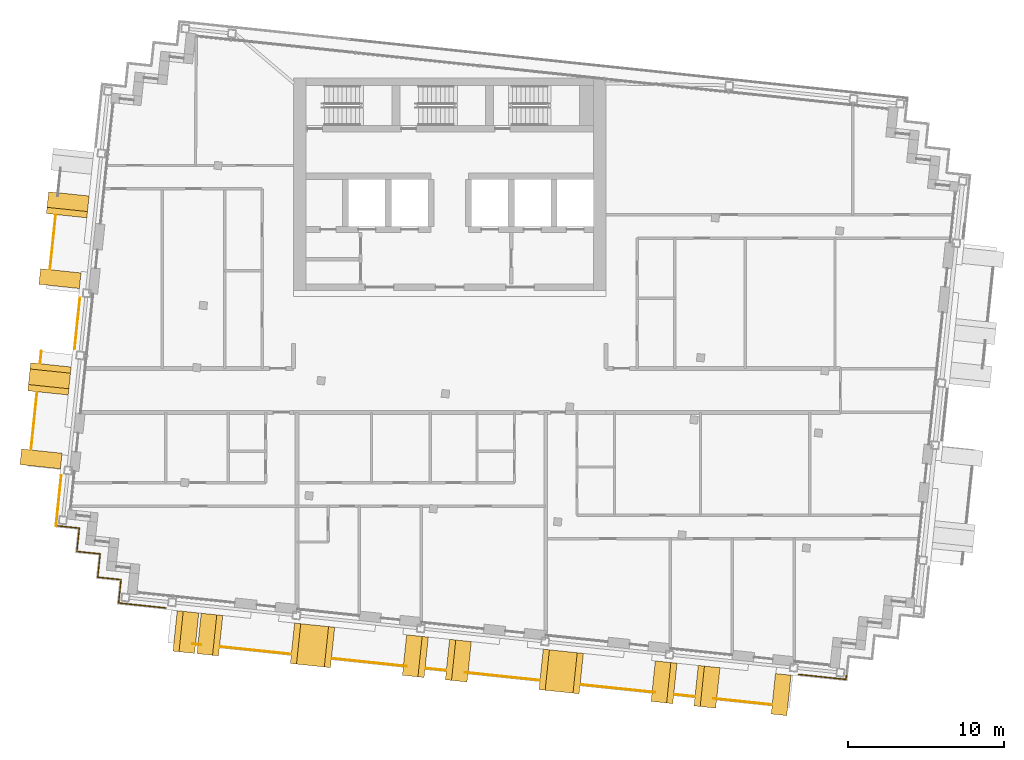
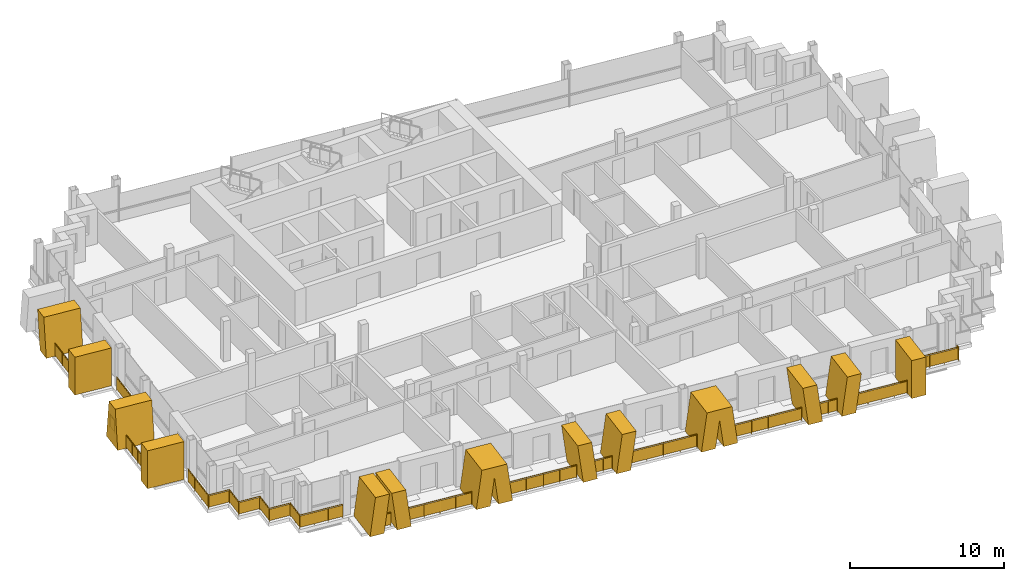
# One storey, part 13 of 16: 15 railings, 13 shading devices.
"""IFC4 building model written with IfcOpenShell, lengths in metres."""

from ifc_helpers import new_model, si_unit, direction, frame, origin, origin_2d, place, context, subcontext, project, spatial, polyline, rectangle, circle, outline, extrude, material, layer, layer_set, type_object, element, save


model = new_model("IFC4")

# Units and contexts
model_context = context("Model", 3, precision=1e-05, world=origin(), true_north=direction((0.0, 1.0)))
body_context = subcontext(model_context, "Body", "Model", "MODEL_VIEW")
ifc_project = project(units=[si_unit("LENGTHUNIT", "METRE"), si_unit("AREAUNIT", "SQUARE_METRE"), si_unit("VOLUMEUNIT", "CUBIC_METRE"), si_unit("PLANEANGLEUNIT", "RADIAN"), si_unit("MASSUNIT", "GRAM", prefix="KILO")], contexts=[model_context])

# Site, building, storey
site_placement = place(None, origin())
site = spatial("IfcSite", under=ifc_project, at=site_placement, CompositionType="ELEMENT")
building_placement = place(site_placement, origin())
building = spatial("IfcBuilding", under=site, at=building_placement, Name="Vidyagriha Tower", CompositionType="ELEMENT")
storey_placement = place(building_placement, frame((0.0, 0.0, 278.699951171875)))
storey = spatial("IfcBuildingStorey", under=building, at=storey_placement, Name="L73", CompositionType="ELEMENT", Elevation=278.699951171875)

# Railings
ifc_material_1 = material(Name="Steel ASTM A500 Grade C black painted", Category="steel")
railing_type_1 = type_object("IfcRailingType", Name="Balcony guard 1100", PredefinedType="BALUSTRADE", material=ifc_material_1)
railing_1_placement = place(storey_placement, frame((-25.220703125, 11.20849609375, 0.0)))
element("IfcRailing", 1, at=railing_1_placement, inside=storey, type_object=railing_type_1, Name="Balcony guard L73 R14.1-2", PredefinedType="BALUSTRADE", context=body_context, shape_type="SweptSolid", body=[
    extrude(circle(Radius=0.02490234375, at=origin_2d()), frame((0.0, 0.0, 1.0751953125), z_axis=(-0.104519019879, -0.994522887863, 0.0), x_axis=(0.994522887863, -0.104519019879, 0.0)), (0.0, 0.0, 1.0), 3.449951171875),
    extrude(circle(Radius=0.02001953125, at=origin_2d()), origin(), (0.0, 0.0, 1.0), 1.050048828125),
    extrude(circle(Radius=0.02001953125, at=origin_2d()), frame((-0.1201171875, -1.143798828125, 0.0)), (0.0, 0.0, 1.0), 1.050048828125),
    extrude(circle(Radius=0.02001953125, at=origin_2d()), frame((-0.240478515625, -2.287353515625, 0.0)), (0.0, 0.0, 1.0), 1.050048828125),
    extrude(circle(Radius=0.02001953125, at=origin_2d()), frame((-0.360595703125, -3.43115234375, 0.0)), (0.0, 0.0, 1.0), 1.050048828125),
    extrude(rectangle(XDim=0.010009765625, YDim=0.900146484375, at=origin_2d()), frame((0.0, 0.0, 0.550048828125), z_axis=(-0.104519019879, -0.994522887863, 0.0), x_axis=(0.994522887863, -0.104519019879, 0.0)), (0.0, 0.0, 1.0), 3.449951171875),
])
railing_2_placement = place(storey_placement, frame((-26.13525390625, 2.50634765625, 0.0)))
element("IfcRailing", 2, at=railing_2_placement, inside=storey, type_object=railing_type_1, Name="Balcony guard L73 R14.2-1", PredefinedType="BALUSTRADE", context=body_context, shape_type="SweptSolid", body=[
    extrude(circle(Radius=0.02490234375, at=origin_2d()), frame((0.0, 0.0, 1.0751953125), z_axis=(-0.104498377516, -0.994525057048, 0.0), x_axis=(0.994525057048, -0.104498377516, 0.0)), (0.0, 0.0, 1.0), 0.75),
    extrude(circle(Radius=0.02001953125, at=origin_2d()), origin(), (0.0, 0.0, 1.0), 1.050048828125),
    extrude(circle(Radius=0.02001953125, at=origin_2d()), frame((-0.078369140625, -0.745849609375, 0.0)), (0.0, 0.0, 1.0), 1.050048828125),
    extrude(rectangle(XDim=0.010009765625, YDim=0.900146484375, at=origin_2d()), frame((0.0, 0.0, 0.550048828125), z_axis=(-0.104498377516, -0.994525057048, 0.0), x_axis=(0.994525057048, -0.104498377516, 0.0)), (0.0, 0.0, 1.0), 0.75),
])
railing_3_placement = place(storey_placement, frame((-26.412353515625, -0.129150390625, 0.0)))
element("IfcRailing", 3, at=railing_3_placement, inside=storey, type_object=railing_type_1, Name="Balcony guard L73 R14.2-2", PredefinedType="BALUSTRADE", context=body_context, shape_type="SweptSolid", body=[
    extrude(circle(Radius=0.02490234375, at=origin_2d()), frame((0.0, 0.0, 1.0751953125), z_axis=(-0.104548987786, -0.99451973794, 0.0), x_axis=(0.99451973794, -0.104548987786, 0.0)), (0.0, 0.0, 1.0), 3.64990234375),
    extrude(circle(Radius=0.02001953125, at=origin_2d()), origin(), (0.0, 0.0, 1.0), 1.050048828125),
    extrude(circle(Radius=0.02001953125, at=origin_2d()), frame((-0.095458984375, -0.907470703125, 0.0)), (0.0, 0.0, 1.0), 1.050048828125),
    extrude(circle(Radius=0.02001953125, at=origin_2d()), frame((-0.19091796875, -1.81494140625, 0.0)), (0.0, 0.0, 1.0), 1.050048828125),
    extrude(circle(Radius=0.02001953125, at=origin_2d()), frame((-0.2861328125, -2.722412109375, 0.0)), (0.0, 0.0, 1.0), 1.050048828125),
    extrude(circle(Radius=0.02001953125, at=origin_2d()), frame((-0.381591796875, -3.6298828125, 0.0)), (0.0, 0.0, 1.0), 1.050048828125),
    extrude(rectangle(XDim=0.010009765625, YDim=0.900146484375, at=origin_2d()), frame((0.0, 0.0, 0.550048828125), z_axis=(-0.104548987786, -0.99451973794, 0.0), x_axis=(0.99451973794, -0.104548987786, 0.0)), (0.0, 0.0, 1.0), 3.64990234375),
])
railing_4_placement = place(storey_placement, frame((-16.454833984375, -16.2080078125, 0.0)))
element("IfcRailing", 4, at=railing_4_placement, inside=storey, type_object=railing_type_1, Name="Balcony guard L73 R21.1-1", PredefinedType="BALUSTRADE", context=body_context, shape_type="SweptSolid", body=[
    extrude(circle(Radius=0.02490234375, at=origin_2d()), frame((0.0, 0.0, 1.0751953125), z_axis=(0.994530525587, -0.104446319592, 0.0), x_axis=(0.104446319592, 0.994530525587, 0.0)), (0.0, 0.0, 1.0), 0.532958984375),
    extrude(circle(Radius=0.02001953125, at=origin_2d()), origin(), (0.0, 0.0, 1.0), 1.050048828125),
    extrude(circle(Radius=0.02001953125, at=origin_2d()), frame((0.530029296875, -0.0556640625, 0.0)), (0.0, 0.0, 1.0), 1.050048828125),
    extrude(rectangle(XDim=0.010009765625, YDim=0.900146484375, at=origin_2d()), frame((0.0, 0.0, 0.550048828125), z_axis=(0.994530525587, -0.104446319592, 0.0), x_axis=(0.104446319592, 0.994530525587, 0.0)), (0.0, 0.0, 1.0), 0.532958984375),
])
railing_5_placement = place(storey_placement, frame((-14.683837890625, -16.394287109375, 0.0)))
element("IfcRailing", 5, at=railing_5_placement, inside=storey, type_object=railing_type_1, Name="Balcony guard L73 R21.1-2", PredefinedType="BALUSTRADE", context=body_context, shape_type="SweptSolid", body=[
    extrude(circle(Radius=0.02490234375, at=origin_2d()), frame((0.0, 0.0, 1.0751953125), z_axis=(0.994524671228, -0.104502049352, 0.0), x_axis=(0.104502049352, 0.994524671228, 0.0)), (0.0, 0.0, 1.0), 4.5205078125),
    extrude(circle(Radius=0.02001953125, at=origin_2d()), origin(), (0.0, 0.0, 1.0), 1.050048828125),
    extrude(circle(Radius=0.02001953125, at=origin_2d()), frame((1.1240234375, -0.1181640625, 0.0)), (0.0, 0.0, 1.0), 1.050048828125),
    extrude(circle(Radius=0.02001953125, at=origin_2d()), frame((2.248046875, -0.236328125, 0.0)), (0.0, 0.0, 1.0), 1.050048828125),
    extrude(circle(Radius=0.02001953125, at=origin_2d()), frame((3.371826171875, -0.354248046875, 0.0)), (0.0, 0.0, 1.0), 1.050048828125),
    extrude(circle(Radius=0.02001953125, at=origin_2d()), frame((4.495849609375, -0.472412109375, 0.0)), (0.0, 0.0, 1.0), 1.050048828125),
    extrude(rectangle(XDim=0.010009765625, YDim=0.900146484375, at=origin_2d()), frame((0.0, 0.0, 0.550048828125), z_axis=(0.994524671228, -0.104502049352, 0.0), x_axis=(0.104502049352, 0.994524671228, 0.0)), (0.0, 0.0, 1.0), 4.5205078125),
])
railing_6_placement = place(storey_placement, frame((-7.522705078125, -17.14697265625, 0.0)))
element("IfcRailing", 6, at=railing_6_placement, inside=storey, type_object=railing_type_1, Name="Balcony guard L73 R21.1-3", PredefinedType="BALUSTRADE", context=body_context, shape_type="SweptSolid", body=[
    extrude(circle(Radius=0.02490234375, at=origin_2d()), frame((0.0, 0.0, 1.0751953125), z_axis=(0.994526450542, -0.104485114597, 0.0), x_axis=(0.104485114597, 0.994526450542, 0.0)), (0.0, 0.0, 1.0), 4.773681640625),
    extrude(circle(Radius=0.02001953125, at=origin_2d()), origin(), (0.0, 0.0, 1.0), 1.050048828125),
    extrude(circle(Radius=0.02001953125, at=origin_2d()), frame((1.18701171875, -0.124755859375, 0.0)), (0.0, 0.0, 1.0), 1.050048828125),
    extrude(circle(Radius=0.02001953125, at=origin_2d()), frame((2.373779296875, -0.24951171875, 0.0)), (0.0, 0.0, 1.0), 1.050048828125),
    extrude(circle(Radius=0.02001953125, at=origin_2d()), frame((3.560546875, -0.3740234375, 0.0)), (0.0, 0.0, 1.0), 1.050048828125),
    extrude(circle(Radius=0.02001953125, at=origin_2d()), frame((4.74755859375, -0.498779296875, 0.0)), (0.0, 0.0, 1.0), 1.050048828125),
    extrude(rectangle(XDim=0.010009765625, YDim=0.900146484375, at=origin_2d()), frame((0.0, 0.0, 0.550048828125), z_axis=(0.994526450542, -0.104485114597, 0.0), x_axis=(0.104485114597, 0.994526450542, 0.0)), (0.0, 0.0, 1.0), 4.773681640625),
])
railing_7_placement = place(storey_placement, frame((-1.530517578125, -17.776611328125, 0.0)))
element("IfcRailing", 7, at=railing_7_placement, inside=storey, type_object=railing_type_1, Name="Balcony guard L73 R21.1-4", PredefinedType="BALUSTRADE", context=body_context, shape_type="SweptSolid", body=[
    extrude(circle(Radius=0.02490234375, at=origin_2d()), frame((0.0, 0.0, 1.0751953125), z_axis=(0.994515982204, -0.104584707968, 0.0), x_axis=(0.104584707968, 0.994515982204, 0.0)), (0.0, 0.0, 1.0), 1.27001953125),
    extrude(circle(Radius=0.02001953125, at=origin_2d()), origin(), (0.0, 0.0, 1.0), 1.050048828125),
    extrude(circle(Radius=0.02001953125, at=origin_2d()), frame((0.63134765625, -0.06640625, 0.0)), (0.0, 0.0, 1.0), 1.050048828125),
    extrude(circle(Radius=0.02001953125, at=origin_2d()), frame((1.262939453125, -0.1328125, 0.0)), (0.0, 0.0, 1.0), 1.050048828125),
    extrude(rectangle(XDim=0.010009765625, YDim=0.900146484375, at=origin_2d()), frame((0.0, 0.0, 0.550048828125), z_axis=(0.994515982204, -0.104584707968, 0.0), x_axis=(0.104584707968, 0.994515982204, 0.0)), (0.0, 0.0, 1.0), 1.27001953125),
])
railing_8_placement = place(storey_placement, frame((0.97705078125, -18.040283203125, 0.0)))
element("IfcRailing", 8, at=railing_8_placement, inside=storey, type_object=railing_type_1, Name="Balcony guard L73 R21.1-5", PredefinedType="BALUSTRADE", context=body_context, shape_type="SweptSolid", body=[
    extrude(circle(Radius=0.02490234375, at=origin_2d()), frame((0.0, 0.0, 1.0751953125), z_axis=(0.994525892164, -0.104490429298, 0.0), x_axis=(0.104490429298, 0.994525892164, 0.0)), (0.0, 0.0, 1.0), 4.7734375),
    extrude(circle(Radius=0.02001953125, at=origin_2d()), origin(), (0.0, 0.0, 1.0), 1.050048828125),
    extrude(circle(Radius=0.02001953125, at=origin_2d()), frame((1.186767578125, -0.124755859375, 0.0)), (0.0, 0.0, 1.0), 1.050048828125),
    extrude(circle(Radius=0.02001953125, at=origin_2d()), frame((2.37353515625, -0.24951171875, 0.0)), (0.0, 0.0, 1.0), 1.050048828125),
    extrude(circle(Radius=0.02001953125, at=origin_2d()), frame((3.560546875, -0.3740234375, 0.0)), (0.0, 0.0, 1.0), 1.050048828125),
    extrude(circle(Radius=0.02001953125, at=origin_2d()), frame((4.747314453125, -0.498779296875, 0.0)), (0.0, 0.0, 1.0), 1.050048828125),
    extrude(rectangle(XDim=0.010009765625, YDim=0.900146484375, at=origin_2d()), frame((0.0, 0.0, 0.550048828125), z_axis=(0.994525892164, -0.104490429298, 0.0), x_axis=(0.104490429298, 0.994525892164, 0.0)), (0.0, 0.0, 1.0), 4.7734375),
])
railing_9_placement = place(storey_placement, frame((8.3896484375, -18.8193359375, 0.0)))
element("IfcRailing", 9, at=railing_9_placement, inside=storey, type_object=railing_type_1, Name="Balcony guard L73 R21.1-6", PredefinedType="BALUSTRADE", context=body_context, shape_type="SweptSolid", body=[
    extrude(circle(Radius=0.02490234375, at=origin_2d()), frame((0.0, 0.0, 1.0751953125), z_axis=(0.994521134852, -0.10453569884, 0.0), x_axis=(0.10453569884, 0.994521134852, 0.0)), (0.0, 0.0, 1.0), 4.773681640625),
    extrude(circle(Radius=0.02001953125, at=origin_2d()), origin(), (0.0, 0.0, 1.0), 1.050048828125),
    extrude(circle(Radius=0.02001953125, at=origin_2d()), frame((1.18701171875, -0.124755859375, 0.0)), (0.0, 0.0, 1.0), 1.050048828125),
    extrude(circle(Radius=0.02001953125, at=origin_2d()), frame((2.373779296875, -0.24951171875, 0.0)), (0.0, 0.0, 1.0), 1.050048828125),
    extrude(circle(Radius=0.02001953125, at=origin_2d()), frame((3.560546875, -0.374267578125, 0.0)), (0.0, 0.0, 1.0), 1.050048828125),
    extrude(circle(Radius=0.02001953125, at=origin_2d()), frame((4.74755859375, -0.4990234375, 0.0)), (0.0, 0.0, 1.0), 1.050048828125),
    extrude(rectangle(XDim=0.010009765625, YDim=0.900146484375, at=origin_2d()), frame((0.0, 0.0, 0.550048828125), z_axis=(0.994521134852, -0.10453569884, 0.0), x_axis=(0.10453569884, 0.994521134852, 0.0)), (0.0, 0.0, 1.0), 4.773681640625),
])
railing_10_placement = place(storey_placement, frame((14.3818359375, -19.448974609375, 0.0)))
element("IfcRailing", 10, at=railing_10_placement, inside=storey, type_object=railing_type_1, Name="Balcony guard L73 R21.1-7", PredefinedType="BALUSTRADE", context=body_context, shape_type="SweptSolid", body=[
    extrude(circle(Radius=0.02490234375, at=origin_2d()), frame((0.0, 0.0, 1.0751953125), z_axis=(0.994515982204, -0.104584707968, 0.0), x_axis=(0.104584707968, 0.994515982204, 0.0)), (0.0, 0.0, 1.0), 1.27001953125),
    extrude(circle(Radius=0.02001953125, at=origin_2d()), origin(), (0.0, 0.0, 1.0), 1.050048828125),
    extrude(circle(Radius=0.02001953125, at=origin_2d()), frame((0.63134765625, -0.06640625, 0.0)), (0.0, 0.0, 1.0), 1.050048828125),
    extrude(circle(Radius=0.02001953125, at=origin_2d()), frame((1.262939453125, -0.1328125, 0.0)), (0.0, 0.0, 1.0), 1.050048828125),
    extrude(rectangle(XDim=0.010009765625, YDim=0.900146484375, at=origin_2d()), frame((0.0, 0.0, 0.550048828125), z_axis=(0.994515982204, -0.104584707968, 0.0), x_axis=(0.104584707968, 0.994515982204, 0.0)), (0.0, 0.0, 1.0), 1.27001953125),
])
railing_11_placement = place(storey_placement, frame((16.889404296875, -19.712646484375, 0.0)))
element("IfcRailing", 11, at=railing_11_placement, inside=storey, type_object=railing_type_1, Name="Balcony guard L73 R21.1-8", PredefinedType="BALUSTRADE", context=body_context, shape_type="SweptSolid", body=[
    extrude(circle(Radius=0.02490234375, at=origin_2d()), frame((0.0, 0.0, 1.0751953125), z_axis=(0.994521292318, -0.104534200753, 0.0), x_axis=(0.104534200753, 0.994521292318, 0.0)), (0.0, 0.0, 1.0), 3.71337890625),
    extrude(circle(Radius=0.02001953125, at=origin_2d()), origin(), (0.0, 0.0, 1.0), 1.050048828125),
    extrude(circle(Radius=0.02001953125, at=origin_2d()), frame((0.92333984375, -0.09716796875, 0.0)), (0.0, 0.0, 1.0), 1.050048828125),
    extrude(circle(Radius=0.02001953125, at=origin_2d()), frame((1.8466796875, -0.194091796875, 0.0)), (0.0, 0.0, 1.0), 1.050048828125),
    extrude(circle(Radius=0.02001953125, at=origin_2d()), frame((2.769775390625, -0.291015625, 0.0)), (0.0, 0.0, 1.0), 1.050048828125),
    extrude(circle(Radius=0.02001953125, at=origin_2d()), frame((3.693115234375, -0.38818359375, 0.0)), (0.0, 0.0, 1.0), 1.050048828125),
    extrude(rectangle(XDim=0.010009765625, YDim=0.900146484375, at=origin_2d()), frame((0.0, 0.0, 0.550048828125), z_axis=(0.994521292318, -0.104534200753, 0.0), x_axis=(0.104534200753, 0.994521292318, 0.0)), (0.0, 0.0, 1.0), 3.71337890625),
])

# Shading devices
ifc_material_2 = material(Name="Precast concrete C40/50 with buff brick facing", Category="concrete")
ifc_layer_1 = layer(ifc_material_2, 1.0)
ifc_layer_set_1 = layer_set([ifc_layer_1], Name="Precast concrete C40/50 with buff brick facing")
shading_device_type_1 = type_object("IfcShadingDeviceType", Name="Brick-faced blade fin arm leaning 8 degrees", PredefinedType="USERDEFINED", material=ifc_layer_set_1)
shading_device_1_placement = place(storey_placement, frame((-24.373046875, 12.577392578125, 0.0), z_axis=(0.0, 0.0, 1.0), x_axis=(-0.104457839748, -0.994529315664, 0.0)))
element("IfcShadingDevice", 12, at=shading_device_1_placement, inside=storey, type_object=shading_device_type_1, Name="Leaning blade fin L73 R14.330a", ObjectType="BLADE FIN", PredefinedType="USERDEFINED", context=body_context, shape_type="SweptSolid", body=[
    extrude(outline(polyline([(0.39990234375, 0.0), (1.39990234375, 0.0), (1.0, 3.0), (0.0, 3.0), (0.39990234375, 0.0)])), frame((0.0, 1.300048828125, 0.0), z_axis=(0.0, -1.0, 0.0), x_axis=(1.0, 0.0, 0.0)), (0.0, 0.0, 1.0), 2.60009765625),
])
shading_device_2_placement = place(storey_placement, frame((-16.03857421875, -15.548095703125, 0.0), z_axis=(0.0, 0.0, 1.0), x_axis=(0.99452763387, -0.104473850644, 0.0)))
element("IfcShadingDevice", 13, at=shading_device_2_placement, inside=storey, type_object=shading_device_type_1, Name="Leaning blade fin L73 R21.230a", ObjectType="BLADE FIN", PredefinedType="USERDEFINED", context=body_context, shape_type="SweptSolid", body=[
    extrude(outline(polyline([(0.3857421875, 0.0), (1.3857421875, 0.0), (1.0, 3.0), (0.0, 3.0), (0.3857421875, 0.0)])), frame((0.0, 1.300048828125, 0.0), z_axis=(0.0, -1.0, 0.0), x_axis=(1.0, 0.0, 0.0)), (0.0, 0.0, 1.0), 2.60009765625),
])
shading_device_3_placement = place(storey_placement, frame((-17.572998046875, -15.38671875, 0.0), z_axis=(0.0, 0.0, 1.0), x_axis=(0.99452763387, -0.104473850644, 0.0)))
element("IfcShadingDevice", 14, at=shading_device_3_placement, inside=storey, type_object=shading_device_type_1, Name="Leaning blade fin L73 R21.230b", ObjectType="BLADE FIN", PredefinedType="USERDEFINED", context=body_context, shape_type="SweptSolid", body=[
    extrude(outline(polyline([(0.0, 0.0), (1.0, 0.0), (1.3857421875, 3.0), (0.3857421875, 3.0), (0.0, 0.0)])), frame((0.0, 1.300048828125, 0.0), z_axis=(0.0, -1.0, 0.0), x_axis=(1.0, 0.0, 0.0)), (0.0, 0.0, 1.0), 2.60009765625),
])
shading_device_4_placement = place(storey_placement, frame((-0.144775390625, -17.218505859375, 0.0), z_axis=(0.0, 0.0, 1.0), x_axis=(0.9945274857, -0.104475261123, 0.0)))
element("IfcShadingDevice", 15, at=shading_device_4_placement, inside=storey, type_object=shading_device_type_1, Name="Leaning blade fin L73 R21.1830a", ObjectType="BLADE FIN", PredefinedType="USERDEFINED", context=body_context, shape_type="SweptSolid", body=[
    extrude(outline(polyline([(0.0, 0.0), (1.0, 0.0), (1.39501953125, 3.0), (0.39501953125, 3.0), (0.0, 0.0)])), frame((0.0, 1.300048828125, 0.0), z_axis=(0.0, -1.0, 0.0), x_axis=(1.0, 0.0, 0.0)), (0.0, 0.0, 1.0), 2.60009765625),
])
shading_device_5_placement = place(storey_placement, frame((-2.89453125, -16.929443359375, 0.0), z_axis=(0.0, 0.0, 1.0), x_axis=(0.9945274857, -0.104475261123, 0.0)))
element("IfcShadingDevice", 16, at=shading_device_5_placement, inside=storey, type_object=shading_device_type_1, Name="Leaning blade fin L73 R21.1830b", ObjectType="BLADE FIN", PredefinedType="USERDEFINED", context=body_context, shape_type="SweptSolid", body=[
    extrude(outline(polyline([(0.39501953125, 0.0), (1.39501953125, 0.0), (1.0, 3.0), (0.0, 3.0), (0.39501953125, 0.0)])), frame((0.0, 1.300048828125, 0.0), z_axis=(0.0, -1.0, 0.0), x_axis=(1.0, 0.0, 0.0)), (0.0, 0.0, 1.0), 2.60009765625),
])
shading_device_6_placement = place(storey_placement, frame((15.767578125, -18.890869140625, 0.0), z_axis=(0.0, 0.0, 1.0), x_axis=(0.9945274857, -0.104475261123, 0.0)))
element("IfcShadingDevice", 17, at=shading_device_6_placement, inside=storey, type_object=shading_device_type_1, Name="Leaning blade fin L73 R21.3430a", ObjectType="BLADE FIN", PredefinedType="USERDEFINED", context=body_context, shape_type="SweptSolid", body=[
    extrude(outline(polyline([(0.0, 0.0), (1.0, 0.0), (1.39501953125, 3.0), (0.39501953125, 3.0), (0.0, 0.0)])), frame((0.0, 1.300048828125, 0.0), z_axis=(0.0, -1.0, 0.0), x_axis=(1.0, 0.0, 0.0)), (0.0, 0.0, 1.0), 2.60009765625),
])
shading_device_7_placement = place(storey_placement, frame((13.017822265625, -18.601806640625, 0.0), z_axis=(0.0, 0.0, 1.0), x_axis=(0.99450928781, -0.104648346667, 0.0)))
element("IfcShadingDevice", 18, at=shading_device_7_placement, inside=storey, type_object=shading_device_type_1, Name="Leaning blade fin L73 R21.3430b", ObjectType="BLADE FIN", PredefinedType="USERDEFINED", context=body_context, shape_type="SweptSolid", body=[
    extrude(outline(polyline([(0.39501953125, 0.0), (1.39501953125, 0.0), (1.0, 3.0), (0.0, 3.0), (0.39501953125, 0.0)])), frame((0.0, 1.300048828125, 0.0), z_axis=(0.0, -1.0, 0.0), x_axis=(1.0, 0.0, 0.0)), (0.0, 0.0, 1.0), 2.60009765625),
])
ifc_material_3 = material(Name="Precast concrete C40/50 with buff brick facing", Category="concrete")
ifc_layer_2 = layer(ifc_material_3, 1.0)
ifc_layer_set_2 = layer_set([ifc_layer_2], Name="Precast concrete C40/50 with buff brick facing")
shading_device_type_2 = type_object("IfcShadingDeviceType", Name="Brick-faced blade fin forking 8 degrees", PredefinedType="USERDEFINED", material=ifc_layer_set_2)
shading_device_8_placement = place(storey_placement, frame((-25.522705078125, 1.6376953125, 0.0), z_axis=(0.0, 0.0, 1.0), x_axis=(-0.104564767339, -0.994518078987, 0.0)))
element("IfcShadingDevice", 19, at=shading_device_8_placement, inside=storey, type_object=shading_device_type_2, Name="Forked blade fin L73 R14.1630a", ObjectType="BLADE FIN", PredefinedType="USERDEFINED", context=body_context, shape_type="SweptSolid", body=[
    extrude(outline(polyline([(0.0, 0.0), (1.800048828125, 0.0), (1.39990234375, 3.0), (0.39990234375, 3.0), (0.0, 0.0)])), frame((0.0, 1.300048828125, 0.0), z_axis=(0.0, -1.0, 0.0), x_axis=(1.0, 0.0, 0.0)), (0.0, 0.0, 1.0), 2.60009765625),
])
for number, where, z_axis, x_axis, name in (
    (20, (-10.06494140625, -16.17578125, 0.0), (0.0, 0.0, 1.0), (0.994517373048, -0.104571481322, 0.0), "Forked blade fin L73 R21.1030a"),
    (21, (5.847412109375, -17.84814453125, 0.0), (0.0, 0.0, 1.0), (0.994517373048, -0.104571481322, 0.0), "Forked blade fin L73 R21.2630a"),
):
    element("IfcShadingDevice", number, at=place(storey_placement, frame(where, z_axis=z_axis, x_axis=x_axis)), inside=storey, type_object=shading_device_type_2, Name=name, ObjectType="BLADE FIN", PredefinedType="USERDEFINED", context=body_context, shape_type="SweptSolid", body=[
        extrude(outline(polyline([(1.0, 0.0), (1.2900390625, 2.20263671875), (1.580078125, 0.0), (2.580078125, 0.0), (2.18505859375, 3.0), (0.39501953125, 3.0), (0.0, 0.0), (1.0, 0.0)])), frame((0.0, 1.300048828125, 0.0), z_axis=(0.0, -1.0, 0.0), x_axis=(1.0, 0.0, 0.0)), (0.0, 0.0, 1.0), 2.60009765625),
    ])
ifc_material_4 = material(Name="Precast concrete C40/50 with buff brick facing", Category="concrete")
ifc_layer_3 = layer(ifc_material_4, 1.0)
ifc_layer_set_3 = layer_set([ifc_layer_3], Name="Precast concrete C40/50 with buff brick facing")
shading_device_type_3 = type_object("IfcShadingDeviceType", Name="Brick-faced blade fin stem 1000", PredefinedType="USERDEFINED", material=ifc_layer_set_3)
for number, where, z_axis, x_axis, name in (
    (22, (-24.890380859375, 7.654541015625, 0.0), (0.0, 0.0, 1.0), (-0.104481464157, -0.994526834051, 0.0), "Stem blade fin L73 R14.1230a"),
    (23, (-26.102783203125, -3.882080078125, 0.0), (0.0, 0.0, 1.0), (-0.104748335039, -0.99449876134, 0.0), "Stem blade fin L73 R14.2370a"),
    (24, (20.70556640625, -19.409912109375, 0.0), (0.0, 0.0, 1.0), (0.994524168223, -0.104506836238, 0.0), "Stem blade fin L73 R21.4230a"),
):
    element("IfcShadingDevice", number, at=place(storey_placement, frame(where, z_axis=z_axis, x_axis=x_axis)), inside=storey, type_object=shading_device_type_3, Name=name, ObjectType="BLADE FIN", PredefinedType="USERDEFINED", context=body_context, shape_type="SweptSolid", body=[
        extrude(outline(polyline([(0.0, 0.0), (1.0, 0.0), (1.0, 3.0), (0.0, 3.0), (0.0, 0.0)])), frame((0.0, 1.300048828125, 0.0), z_axis=(0.0, -1.0, 0.0), x_axis=(1.0, 0.0, 0.0)), (0.0, 0.0, 1.0), 2.60009765625),
    ])

# Railings
ifc_material_5 = material(Name="Steel ASTM A500 Grade C black painted", Category="steel")
railing_type_2 = type_object("IfcRailingType", Name="Gallery guard 1100", PredefinedType="GUARDRAIL", material=ifc_material_5)
railing_12_placement = place(storey_placement, frame((-18.168212890625, -13.91650390625, 0.0)))
element("IfcRailing", 25, at=railing_12_placement, inside=storey, type_object=railing_type_2, Name="Gallery guard L73 1", PredefinedType="GUARDRAIL", context=body_context, shape_type="SweptSolid", body=[
    extrude(circle(Radius=0.02490234375, at=origin_2d()), frame((0.0, 0.0, 1.0751953125), z_axis=(-0.994518646122, 0.104559373163, 0.0), x_axis=(-0.104559373163, -0.994518646122, 0.0)), (0.0, 0.0, 1.0), 3.0400390625),
    extrude(circle(Radius=0.02490234375, at=origin_2d()), frame((-3.0234375, 0.31787109375, 1.0751953125), z_axis=(0.104481464157, 0.994526834051, 0.0), x_axis=(-0.994526834051, 0.104481464157, 0.0)), (0.0, 0.0, 1.0), 1.500244140625),
    extrude(circle(Radius=0.02490234375, at=origin_2d()), frame((-2.86669921875, 1.809814453125, 1.0751953125), z_axis=(-0.994525057048, 0.104498377516, 0.0), x_axis=(-0.104498377516, -0.994525057048, 0.0)), (0.0, 0.0, 1.0), 1.5),
    extrude(circle(Radius=0.02490234375, at=origin_2d()), frame((-4.3583984375, 1.966552734375, 1.0751953125), z_axis=(0.104498377516, 0.994525057048, 0.0), x_axis=(-0.994525057048, 0.104498377516, 0.0)), (0.0, 0.0, 1.0), 1.5),
    extrude(circle(Radius=0.02490234375, at=origin_2d()), frame((-4.20166015625, 3.458251953125, 1.0751953125), z_axis=(-0.994525057048, 0.104498377516, 0.0), x_axis=(-0.104498377516, -0.994525057048, 0.0)), (0.0, 0.0, 1.0), 1.5),
    extrude(circle(Radius=0.02490234375, at=origin_2d()), frame((-5.693359375, 3.614990234375, 1.0751953125), z_axis=(0.104498377516, 0.994525057048, 0.0), x_axis=(-0.994525057048, 0.104498377516, 0.0)), (0.0, 0.0, 1.0), 1.5),
    extrude(circle(Radius=0.02490234375, at=origin_2d()), frame((-5.53662109375, 5.106689453125, 1.0751953125), z_axis=(-0.994505452921, 0.104684784518, 0.0), x_axis=(-0.104684784518, -0.994505452921, 0.0)), (0.0, 0.0, 1.0), 1.4599609375),
    extrude(circle(Radius=0.02001953125, at=origin_2d()), origin(), (0.0, 0.0, 1.0), 1.050048828125),
    extrude(circle(Radius=0.02001953125, at=origin_2d()), frame((-1.0078125, 0.10595703125, 0.0)), (0.0, 0.0, 1.0), 1.050048828125),
    extrude(circle(Radius=0.02001953125, at=origin_2d()), frame((-2.015625, 0.2119140625, 0.0)), (0.0, 0.0, 1.0), 1.050048828125),
    extrude(circle(Radius=0.02001953125, at=origin_2d()), frame((-3.0234375, 0.31787109375, 0.0)), (0.0, 0.0, 1.0), 1.050048828125),
    extrude(circle(Radius=0.02001953125, at=origin_2d()), frame((-2.945068359375, 1.06396484375, 0.0)), (0.0, 0.0, 1.0), 1.050048828125),
    extrude(circle(Radius=0.02001953125, at=origin_2d()), frame((-2.86669921875, 1.809814453125, 0.0)), (0.0, 0.0, 1.0), 1.050048828125),
    extrude(circle(Radius=0.02001953125, at=origin_2d()), frame((-4.3583984375, 1.966552734375, 0.0)), (0.0, 0.0, 1.0), 1.050048828125),
    extrude(circle(Radius=0.02001953125, at=origin_2d()), frame((-4.20166015625, 3.458251953125, 0.0)), (0.0, 0.0, 1.0), 1.050048828125),
    extrude(circle(Radius=0.02001953125, at=origin_2d()), frame((-5.693359375, 3.614990234375, 0.0)), (0.0, 0.0, 1.0), 1.050048828125),
    extrude(circle(Radius=0.02001953125, at=origin_2d()), frame((-5.53662109375, 5.106689453125, 0.0)), (0.0, 0.0, 1.0), 1.050048828125),
    extrude(circle(Radius=0.02001953125, at=origin_2d()), frame((-6.988525390625, 5.259521484375, 0.0)), (0.0, 0.0, 1.0), 1.050048828125),
    extrude(rectangle(XDim=0.010009765625, YDim=0.900146484375, at=origin_2d()), frame((0.0, 0.0, 0.550048828125), z_axis=(-0.994518646122, 0.104559373163, 0.0), x_axis=(-0.104559373163, -0.994518646122, 0.0)), (0.0, 0.0, 1.0), 3.0400390625),
    extrude(rectangle(XDim=0.010009765625, YDim=0.900146484375, at=origin_2d()), frame((-3.0234375, 0.31787109375, 0.550048828125), z_axis=(0.104481464157, 0.994526834051, 0.0), x_axis=(-0.994526834051, 0.104481464157, 0.0)), (0.0, 0.0, 1.0), 1.500244140625),
    extrude(rectangle(XDim=0.010009765625, YDim=0.900146484375, at=origin_2d()), frame((-2.86669921875, 1.809814453125, 0.550048828125), z_axis=(-0.994525057048, 0.104498377516, 0.0), x_axis=(-0.104498377516, -0.994525057048, 0.0)), (0.0, 0.0, 1.0), 1.5),
    extrude(rectangle(XDim=0.010009765625, YDim=0.900146484375, at=origin_2d()), frame((-4.3583984375, 1.966552734375, 0.550048828125), z_axis=(0.104498377516, 0.994525057048, 0.0), x_axis=(-0.994525057048, 0.104498377516, 0.0)), (0.0, 0.0, 1.0), 1.5),
    extrude(rectangle(XDim=0.010009765625, YDim=0.900146484375, at=origin_2d()), frame((-4.20166015625, 3.458251953125, 0.550048828125), z_axis=(-0.994525057048, 0.104498377516, 0.0), x_axis=(-0.104498377516, -0.994525057048, 0.0)), (0.0, 0.0, 1.0), 1.5),
    extrude(rectangle(XDim=0.010009765625, YDim=0.900146484375, at=origin_2d()), frame((-5.693359375, 3.614990234375, 0.550048828125), z_axis=(0.104498377516, 0.994525057048, 0.0), x_axis=(-0.994525057048, 0.104498377516, 0.0)), (0.0, 0.0, 1.0), 1.5),
    extrude(rectangle(XDim=0.010009765625, YDim=0.900146484375, at=origin_2d()), frame((-5.53662109375, 5.106689453125, 0.550048828125), z_axis=(-0.994505452921, 0.104684784518, 0.0), x_axis=(-0.104684784518, -0.994505452921, 0.0)), (0.0, 0.0, 1.0), 1.4599609375),
])
railing_13_placement = place(storey_placement, frame((-25.15673828125, -8.656982421875, 0.0)))
element("IfcRailing", 26, at=railing_13_placement, inside=storey, type_object=railing_type_2, Name="Gallery guard L73 2", PredefinedType="GUARDRAIL", context=body_context, shape_type="SweptSolid", body=[
    extrude(circle(Radius=0.02490234375, at=origin_2d()), frame((0.0, 0.0, 1.0751953125), z_axis=(-0.99460530117, 0.103731841226, 0.0), x_axis=(-0.103731841226, -0.99460530117, 0.0)), (0.0, 0.0, 1.0), 0.0400390625),
    extrude(circle(Radius=0.02490234375, at=origin_2d()), frame((-0.039794921875, 0.004150390625, 1.0751953125), z_axis=(0.104516113735, 0.994523193279, 0.0), x_axis=(-0.994523193279, 0.104516113735, 0.0)), (0.0, 0.0, 1.0), 3.239990234375),
    extrude(circle(Radius=0.02001953125, at=origin_2d()), origin(), (0.0, 0.0, 1.0), 1.050048828125),
    extrude(circle(Radius=0.02001953125, at=origin_2d()), frame((-0.039794921875, 0.004150390625, 0.0)), (0.0, 0.0, 1.0), 1.050048828125),
    extrude(circle(Radius=0.02001953125, at=origin_2d()), frame((0.072998046875, 1.078125, 0.0)), (0.0, 0.0, 1.0), 1.050048828125),
    extrude(circle(Radius=0.02001953125, at=origin_2d()), frame((0.18603515625, 2.15234375, 0.0)), (0.0, 0.0, 1.0), 1.050048828125),
    extrude(circle(Radius=0.02001953125, at=origin_2d()), frame((0.298828125, 3.226318359375, 0.0)), (0.0, 0.0, 1.0), 1.050048828125),
    extrude(rectangle(XDim=0.010009765625, YDim=0.900146484375, at=origin_2d()), frame((0.0, 0.0, 0.550048828125), z_axis=(-0.99460530117, 0.103731841226, 0.0), x_axis=(-0.103731841226, -0.99460530117, 0.0)), (0.0, 0.0, 1.0), 0.0400390625),
    extrude(rectangle(XDim=0.010009765625, YDim=0.900146484375, at=origin_2d()), frame((-0.039794921875, 0.004150390625, 0.550048828125), z_axis=(0.104516113735, 0.994523193279, 0.0), x_axis=(-0.994523193279, 0.104516113735, 0.0)), (0.0, 0.0, 1.0), 3.239990234375),
])
railing_14_placement = place(storey_placement, frame((-24.009033203125, 2.64501953125, 0.0)))
element("IfcRailing", 27, at=railing_14_placement, inside=storey, type_object=railing_type_2, Name="Gallery guard L73 3", PredefinedType="GUARDRAIL", context=body_context, shape_type="SweptSolid", body=[
    extrude(circle(Radius=0.02490234375, at=origin_2d()), frame((0.0, 0.0, 1.0751953125), z_axis=(0.104506547029, 0.994524198614, 0.0), x_axis=(-0.994524198614, 0.104506547029, 0.0)), (0.0, 0.0, 1.0), 3.280029296875),
    extrude(circle(Radius=0.02001953125, at=origin_2d()), origin(), (0.0, 0.0, 1.0), 1.050048828125),
    extrude(circle(Radius=0.02001953125, at=origin_2d()), frame((0.1142578125, 1.08740234375, 0.0)), (0.0, 0.0, 1.0), 1.050048828125),
    extrude(circle(Radius=0.02001953125, at=origin_2d()), frame((0.228515625, 2.174560546875, 0.0)), (0.0, 0.0, 1.0), 1.050048828125),
    extrude(circle(Radius=0.02001953125, at=origin_2d()), frame((0.3427734375, 3.261962890625, 0.0)), (0.0, 0.0, 1.0), 1.050048828125),
    extrude(rectangle(XDim=0.010009765625, YDim=0.900146484375, at=origin_2d()), frame((0.0, 0.0, 0.550048828125), z_axis=(0.104506547029, 0.994524198614, 0.0), x_axis=(-0.994524198614, 0.104506547029, 0.0)), (0.0, 0.0, 1.0), 3.280029296875),
])
railing_15_placement = place(storey_placement, frame((25.377197265625, -18.251953125, 0.0)))
element("IfcRailing", 28, at=railing_15_placement, inside=storey, type_object=railing_type_2, Name="Gallery guard L73 12", PredefinedType="GUARDRAIL", context=body_context, shape_type="SweptSolid", body=[
    extrude(circle(Radius=0.02490234375, at=origin_2d()), frame((0.0, 0.0, 1.0751953125), z_axis=(-0.104843742972, -0.994488707608, 0.0), x_axis=(0.994488707608, -0.104843742972, 0.0)), (0.0, 0.0, 1.0), 0.23974609375),
    extrude(circle(Radius=0.02490234375, at=origin_2d()), frame((-0.025146484375, -0.238525390625, 1.0751953125), z_axis=(-0.994518646122, 0.104559373163, 0.0), x_axis=(-0.104559373163, -0.994518646122, 0.0)), (0.0, 0.0, 1.0), 3.0400390625),
    extrude(circle(Radius=0.02001953125, at=origin_2d()), origin(), (0.0, 0.0, 1.0), 1.050048828125),
    extrude(circle(Radius=0.02001953125, at=origin_2d()), frame((-0.025146484375, -0.238525390625, 0.0)), (0.0, 0.0, 1.0), 1.050048828125),
    extrude(circle(Radius=0.02001953125, at=origin_2d()), frame((-1.032958984375, -0.132568359375, 0.0)), (0.0, 0.0, 1.0), 1.050048828125),
    extrude(circle(Radius=0.02001953125, at=origin_2d()), frame((-2.040771484375, -0.026611328125, 0.0)), (0.0, 0.0, 1.0), 1.050048828125),
    extrude(circle(Radius=0.02001953125, at=origin_2d()), frame((-3.048583984375, 0.079345703125, 0.0)), (0.0, 0.0, 1.0), 1.050048828125),
    extrude(rectangle(XDim=0.010009765625, YDim=0.900146484375, at=origin_2d()), frame((0.0, 0.0, 0.550048828125), z_axis=(-0.104843742972, -0.994488707608, 0.0), x_axis=(0.994488707608, -0.104843742972, 0.0)), (0.0, 0.0, 1.0), 0.23974609375),
    extrude(rectangle(XDim=0.010009765625, YDim=0.900146484375, at=origin_2d()), frame((-0.025146484375, -0.238525390625, 0.550048828125), z_axis=(-0.994518646122, 0.104559373163, 0.0), x_axis=(-0.104559373163, -0.994518646122, 0.0)), (0.0, 0.0, 1.0), 3.0400390625),
])

save(model, "model.ifc")
